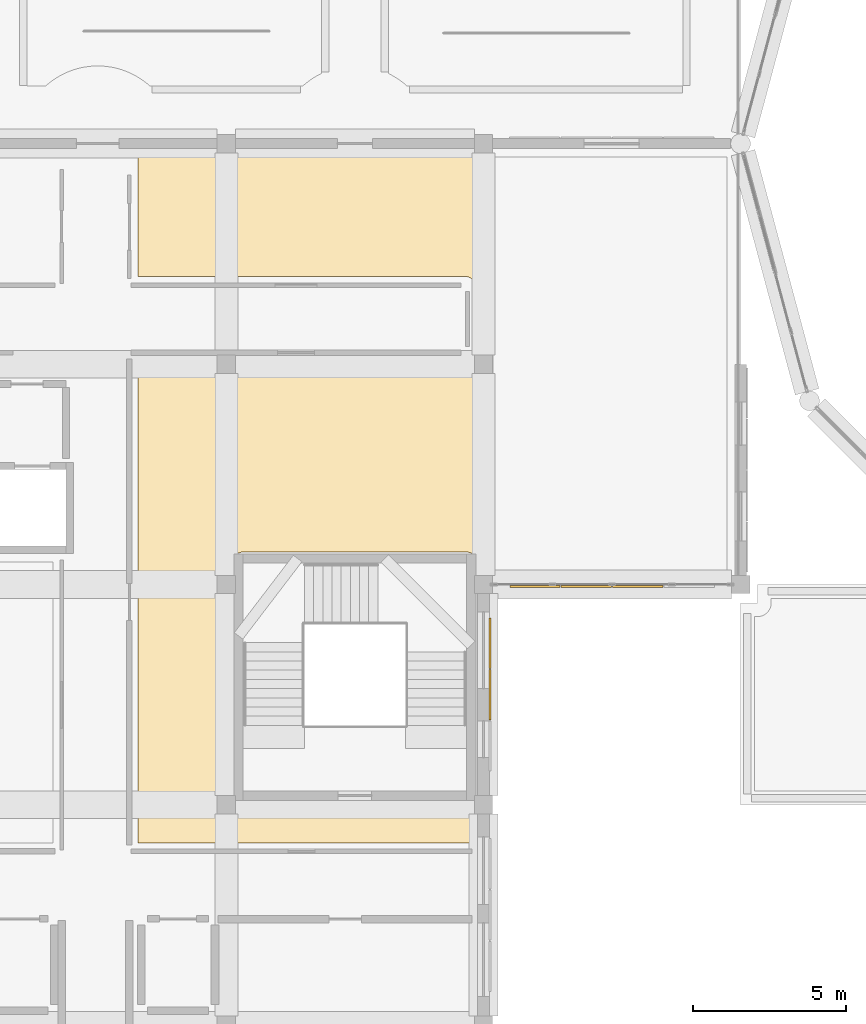
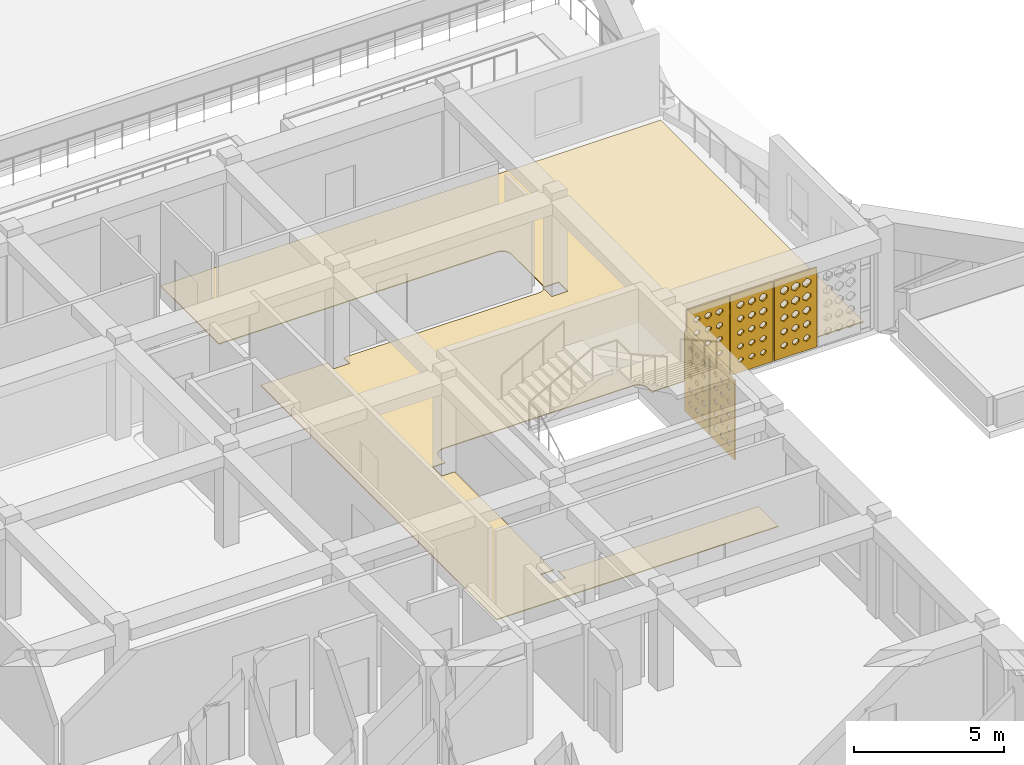
# One storey, part 45 of 48: 6 coverings.
"""IFC4 building model written with IfcOpenShell, lengths in metres."""

from ifc_helpers import new_model, si_unit, derived_unit, direction, frame, origin, place, context, subcontext, project, spatial, polyline, outline, extrude, material, layer, layer_set, type_object, element, save


model = new_model("IFC4")

# Units and contexts
model_context = context("Model", 3, precision=1e-05, world=origin(), true_north=direction((0.0, 1.0)))
body_context = subcontext(model_context, "Body", "Model", "MODEL_VIEW")
ifc_project = project(units=[si_unit("LENGTHUNIT", "METRE"), si_unit("AREAUNIT", "SQUARE_METRE"), si_unit("VOLUMEUNIT", "CUBIC_METRE"), si_unit("PLANEANGLEUNIT", "RADIAN"), si_unit("MASSUNIT", "GRAM", prefix="KILO"), derived_unit("THERMALTRANSMITTANCEUNIT", [(si_unit("POWERUNIT", "WATT"), 1), (si_unit("LENGTHUNIT", "METRE"), -2), (si_unit("THERMODYNAMICTEMPERATUREUNIT", "KELVIN"), -1)])], contexts=[model_context])

# Site, building, storey
site_placement = place(None, origin())
site = spatial("IfcSite", under=ifc_project, at=site_placement, CompositionType="ELEMENT")
building_placement = place(site_placement, origin())
building = spatial("IfcBuilding", under=site, at=building_placement, Name="Veybourne Emporium", CompositionType="ELEMENT")
storey_placement = place(building_placement, frame((0.0, 0.0, 27.89990234375)))
storey = spatial("IfcBuildingStorey", under=building, at=storey_placement, Name="L06", CompositionType="ELEMENT", Elevation=27.89990234375)

# Coverings
ifc_material_1 = material(Name="European Oak Parquet", Category="wood")
ifc_layer_1 = layer(ifc_material_1, 0.034912109375)
ifc_layer_set_1 = layer_set([ifc_layer_1], Name="European Oak Parquet")
covering_type_1 = type_object("IfcCoveringType", Name="Flooring_FLR-02", PredefinedType="FLOORING", material=ifc_layer_set_1)
covering_1_placement = place(storey_placement, origin())
element("IfcCovering", 1, at=covering_1_placement, inside=storey, type_object=covering_type_1, Name="L06 floor finish 06", PredefinedType="FLOORING", context=body_context, shape_type="SweptSolid", body=[
    extrude(outline(polyline([(49.9599609375, 27.56005859375), (39.110107421875, 27.56005859375), (39.110107421875, 43.2900390625), (41.695068359375, 43.2900390625), (41.695068359375, 42.89501953125), (42.304931640625, 42.89501953125), (42.304931640625, 43.2900390625), (49.800048828125, 43.2900390625), (49.809814453125, 43.290283203125), (49.825439453125, 43.291015625), (49.844970703125, 43.29296875), (49.860595703125, 43.295166015625), (49.8798828125, 43.299072265625), (49.89501953125, 43.302978515625), (49.913818359375, 43.30859375), (49.9287109375, 43.31396484375), (49.94677734375, 43.3212890625), (49.9609375, 43.328125), (49.978271484375, 43.33740234375), (49.99169921875, 43.345458984375), (50.008056640625, 43.3564453125), (50.020751953125, 43.36572265625), (50.03564453125, 43.378173828125), (50.04736328125, 43.388671875), (50.061279296875, 43.402587890625), (50.072021484375, 43.414306640625), (50.084228515625, 43.42919921875), (50.09375, 43.44189453125), (50.094970703125, 43.44384765625), (50.094970703125, 42.89501953125), (50.705078125, 42.89501953125), (50.705078125, 43.5048828125), (50.12939453125, 43.5048828125), (50.13623046875, 43.521484375), (50.141357421875, 43.5361328125), (50.147216796875, 43.554931640625), (50.15087890625, 43.570068359375), (50.15478515625, 43.589599609375), (50.156982421875, 43.60498046875), (50.158935546875, 43.62451171875), (50.15966796875, 43.64013671875), (50.159912109375, 43.64990234375), (50.159912109375, 45.699951171875), (50.15966796875, 45.709716796875), (50.158935546875, 45.7255859375), (50.156982421875, 45.744873046875), (50.15478515625, 45.760498046875), (50.15087890625, 45.77978515625), (50.147216796875, 45.795166015625), (50.141357421875, 45.81396484375), (50.13623046875, 45.82861328125), (50.128662109375, 45.8466796875), (50.121826171875, 45.86083984375), (50.11279296875, 45.878173828125), (50.1044921875, 45.8916015625), (50.09375, 45.908203125), (50.084228515625, 45.920654296875), (50.072021484375, 45.935791015625), (50.061279296875, 45.947265625), (50.04736328125, 45.96142578125), (50.03564453125, 45.971923828125), (50.020751953125, 45.984375), (50.008056640625, 45.99365234375), (49.99169921875, 46.004638671875), (49.978271484375, 46.0126953125), (49.9609375, 46.02197265625), (49.94677734375, 46.028564453125), (49.9287109375, 46.0361328125), (49.913818359375, 46.04150390625), (49.89501953125, 46.047119140625), (49.8798828125, 46.051025390625), (49.860595703125, 46.0546875), (49.844970703125, 46.05712890625), (49.825439453125, 46.05908203125), (49.809814453125, 46.059814453125), (49.800048828125, 46.06005859375), (39.110107421875, 46.06005859375), (39.110107421875, 49.9599609375), (58.360107421875, 49.9599609375), (58.360107421875, 36.43994140625), (50.39990234375, 36.43994140625), (50.39013671875, 36.439697265625), (50.36669921875, 36.438720703125), (50.34716796875, 36.436767578125), (50.323974609375, 36.433349609375), (50.3046875, 36.429443359375), (50.28173828125, 36.423583984375), (50.262939453125, 36.41796875), (50.24072265625, 36.409912109375), (50.22265625, 36.402587890625), (50.2099609375, 36.396484375), (50.2099609375, 36.699951171875), (50.209716796875, 36.709716796875), (50.208984375, 36.7255859375), (50.20703125, 36.744873046875), (50.204833984375, 36.760498046875), (50.200927734375, 36.77978515625), (50.197021484375, 36.795166015625), (50.19140625, 36.81396484375), (50.18603515625, 36.82861328125), (50.1787109375, 36.8466796875), (50.171875, 36.86083984375), (50.16259765625, 36.878173828125), (50.154541015625, 36.8916015625), (50.1435546875, 36.908203125), (50.13427734375, 36.920654296875), (50.121826171875, 36.935791015625), (50.111328125, 36.947265625), (50.097412109375, 36.96142578125), (50.085693359375, 36.971923828125), (50.07080078125, 36.984375), (50.05810546875, 36.99365234375), (50.041748046875, 37.004638671875), (50.0283203125, 37.0126953125), (50.010986328125, 37.02197265625), (49.996826171875, 37.028564453125), (49.978515625, 37.0361328125), (49.9638671875, 37.04150390625), (49.945068359375, 37.047119140625), (49.929931640625, 37.051025390625), (49.910400390625, 37.0546875), (49.89501953125, 37.05712890625), (49.87548828125, 37.05908203125), (49.85986328125, 37.059814453125), (49.85009765625, 37.06005859375), (42.550048828125, 37.06005859375), (42.540283203125, 37.059814453125), (42.5244140625, 37.05908203125), (42.505126953125, 37.05712890625), (42.489501953125, 37.0546875), (42.47021484375, 37.051025390625), (42.454833984375, 37.047119140625), (42.43603515625, 37.04150390625), (42.42138671875, 37.0361328125), (42.4033203125, 37.028564453125), (42.38916015625, 37.02197265625), (42.371826171875, 37.0126953125), (42.3583984375, 37.004638671875), (42.341796875, 36.99365234375), (42.329345703125, 36.984375), (42.314208984375, 36.971923828125), (42.302734375, 36.96142578125), (42.28857421875, 36.947265625), (42.278076171875, 36.935791015625), (42.265625, 36.920654296875), (42.25634765625, 36.908203125), (42.245361328125, 36.8916015625), (42.2373046875, 36.878173828125), (42.22802734375, 36.86083984375), (42.221435546875, 36.8466796875), (42.2138671875, 36.82861328125), (42.20849609375, 36.81396484375), (42.202880859375, 36.795166015625), (42.198974609375, 36.77978515625), (42.1953125, 36.760498046875), (42.19287109375, 36.744873046875), (42.19091796875, 36.7255859375), (42.190185546875, 36.709716796875), (42.18994140625, 36.699951171875), (42.18994140625, 36.304931640625), (41.695068359375, 36.304931640625), (41.695068359375, 35.695068359375), (42.18994140625, 35.695068359375), (42.18994140625, 29.25), (42.190185546875, 29.240234375), (42.19091796875, 29.224609375), (42.19287109375, 29.205078125), (42.1953125, 29.189453125), (42.198974609375, 29.170166015625), (42.202880859375, 29.155029296875), (42.20849609375, 29.13623046875), (42.2138671875, 29.121337890625), (42.220703125, 29.10498046875), (41.695068359375, 29.10498046875), (41.695068359375, 28.4951171875), (42.304931640625, 28.4951171875), (42.304931640625, 28.986328125), (42.314208984375, 28.97802734375), (42.329345703125, 28.9658203125), (42.341796875, 28.956298828125), (42.3583984375, 28.9453125), (42.371826171875, 28.937255859375), (42.38916015625, 28.927978515625), (42.4033203125, 28.92138671875), (42.42138671875, 28.913818359375), (42.43603515625, 28.90869140625), (42.454833984375, 28.90283203125), (42.47021484375, 28.899169921875), (42.489501953125, 28.895263671875), (42.505126953125, 28.892822265625), (42.5244140625, 28.89111328125), (42.540283203125, 28.89013671875), (42.550048828125, 28.889892578125), (49.85009765625, 28.889892578125), (49.85986328125, 28.89013671875), (49.87548828125, 28.89111328125), (49.89501953125, 28.892822265625), (49.910400390625, 28.895263671875), (49.929931640625, 28.899169921875), (49.945068359375, 28.90283203125), (49.9599609375, 28.907470703125), (49.9599609375, 27.56005859375)])), origin(), (0.0, 0.0, 1.0), 0.03515625),
])
ifc_material_2 = material(Name="Warm-White Perforated Aluminium Screen Alloy", Category="aluminium")
ifc_layer_2 = layer(ifc_material_2, 0.06005859375)
ifc_layer_set_2 = layer_set([ifc_layer_2], Name="Warm-White Perforated Aluminium Screen Alloy")
covering_type_2 = type_object("IfcCoveringType", Name="WaveScreen_SCR-01", PredefinedType="CLADDING", material=ifc_layer_set_2)
covering_2_placement = place(storey_placement, frame((50.64794921875, 34.080078125, 1.68017578125), z_axis=(-1.0, 0.0, 0.0), x_axis=(0.0, -1.0, 0.0)))
element("IfcCovering", 2, at=covering_2_placement, inside=storey, type_object=covering_type_2, Name="L06 wave-perforated aluminium screen SCR-01 (21.1)", PredefinedType="CLADDING", context=body_context, shape_type="SweptSolid", body=[
    extrude(outline(polyline([(-0.81982421875, -1.6201171875), (0.81982421875, -1.6201171875), (0.81982421875, 1.6201171875), (-0.81982421875, 1.6201171875), (-0.81982421875, -1.6201171875)]), holes=[polyline([(-0.433349609375, -1.007080078125), (-0.330810546875, -1.079345703125), (-0.330810546875, -1.16064453125), (-0.433349609375, -1.23291015625), (-0.535888671875, -1.16064453125), (-0.535888671875, -1.079345703125), (-0.433349609375, -1.007080078125)]), polyline([(-0.433349609375, -0.449462890625), (-0.3330078125, -0.520263671875), (-0.3330078125, -0.599853515625), (-0.433349609375, -0.67041015625), (-0.53369140625, -0.599853515625), (-0.53369140625, -0.520263671875), (-0.433349609375, -0.449462890625)]), polyline([(-0.433349609375, 0.110107421875), (-0.333251953125, 0.03955078125), (-0.333251953125, -0.03955078125), (-0.433349609375, -0.110107421875), (-0.533447265625, -0.03955078125), (-0.533447265625, 0.03955078125), (-0.433349609375, 0.110107421875)]), polyline([(-0.433349609375, 0.671630859375), (-0.33203125, 0.60009765625), (-0.33203125, 0.519775390625), (-0.433349609375, 0.4482421875), (-0.53466796875, 0.519775390625), (-0.53466796875, 0.60009765625), (-0.433349609375, 0.671630859375)]), polyline([(-0.433349609375, 1.235107421875), (-0.3291015625, 1.16162109375), (-0.3291015625, 1.07861328125), (-0.433349609375, 1.0048828125), (-0.53759765625, 1.07861328125), (-0.53759765625, 1.16162109375), (-0.433349609375, 1.235107421875)]), polyline([(0.0, -1.005126953125), (0.10400390625, -1.07861328125), (0.10400390625, -1.161376953125), (0.0, -1.23486328125), (-0.10400390625, -1.161376953125), (-0.10400390625, -1.07861328125), (0.0, -1.005126953125)]), polyline([(0.0, -0.448486328125), (0.101318359375, -0.52001953125), (0.101318359375, -0.60009765625), (0.0, -0.67138671875), (-0.101318359375, -0.60009765625), (-0.101318359375, -0.52001953125), (0.0, -0.448486328125)]), polyline([(0.0, 0.110107421875), (0.10009765625, 0.03955078125), (0.10009765625, -0.03955078125), (0.0, -0.110107421875), (-0.10009765625, -0.03955078125), (-0.10009765625, 0.03955078125), (0.0, 0.110107421875)]), polyline([(0.0, 0.670654296875), (0.1005859375, 0.599853515625), (0.1005859375, 0.520263671875), (0.0, 0.449462890625), (-0.1005859375, 0.520263671875), (-0.1005859375, 0.599853515625), (0.0, 0.670654296875)]), polyline([(0.0, 1.233154296875), (0.1025390625, 1.160888671875), (0.1025390625, 1.0791015625), (0.0, 1.0068359375), (-0.1025390625, 1.0791015625), (-0.1025390625, 1.160888671875), (0.0, 1.233154296875)]), polyline([(0.433349609375, -1.002685546875), (0.539306640625, -1.077880859375), (0.539306640625, -1.162109375), (0.433349609375, -1.2373046875), (0.327392578125, -1.162109375), (0.327392578125, -1.077880859375), (0.433349609375, -1.002685546875)]), polyline([(0.433349609375, -0.447021484375), (0.535888671875, -0.519287109375), (0.535888671875, -0.6005859375), (0.433349609375, -0.673095703125), (0.330810546875, -0.6005859375), (0.330810546875, -0.519287109375), (0.433349609375, -0.447021484375)]), polyline([(0.433349609375, 0.110595703125), (0.53369140625, 0.039794921875), (0.53369140625, -0.039794921875), (0.433349609375, -0.110595703125), (0.3330078125, -0.039794921875), (0.3330078125, 0.039794921875), (0.433349609375, 0.110595703125)]), polyline([(0.433349609375, 0.670166015625), (0.533447265625, 0.599609375), (0.533447265625, 0.5205078125), (0.433349609375, 0.449951171875), (0.333251953125, 0.5205078125), (0.333251953125, 0.599609375), (0.433349609375, 0.670166015625)]), polyline([(0.433349609375, 1.231689453125), (0.53466796875, 1.16015625), (0.53466796875, 1.079833984375), (0.433349609375, 1.00830078125), (0.33203125, 1.079833984375), (0.33203125, 1.16015625), (0.433349609375, 1.231689453125)])]), origin(), (0.0, 0.0, 1.0), 0.06005859375),
])
covering_3_placement = place(storey_placement, frame((53.760009765625, 35.906005859375, 1.68017578125), z_axis=(0.0, 1.0, 0.0), x_axis=(-1.0, 0.0, 0.0)))
element("IfcCovering", 3, at=covering_3_placement, inside=storey, type_object=covering_type_2, Name="L06 wave-perforated aluminium screen SCR-01 (23C.3)", PredefinedType="CLADDING", context=body_context, shape_type="SweptSolid", body=[
    extrude(outline(polyline([(-0.81982421875, -1.6201171875), (0.81982421875, -1.6201171875), (0.81982421875, 1.6201171875), (-0.81982421875, 1.6201171875), (-0.81982421875, -1.6201171875)]), holes=[polyline([(-0.433349609375, -0.994140625), (-0.3203125, -1.07470703125), (-0.3203125, -1.165283203125), (-0.433349609375, -1.245849609375), (-0.54638671875, -1.165283203125), (-0.54638671875, -1.07470703125), (-0.433349609375, -0.994140625)]), polyline([(-0.433349609375, -0.42578125), (-0.3134765625, -0.51171875), (-0.3134765625, -0.6083984375), (-0.433349609375, -0.6943359375), (-0.55322265625, -0.6083984375), (-0.55322265625, -0.51171875), (-0.433349609375, -0.42578125)]), polyline([(-0.433349609375, 0.14404296875), (-0.305419921875, 0.052001953125), (-0.305419921875, -0.052001953125), (-0.433349609375, -0.14404296875), (-0.561279296875, -0.052001953125), (-0.561279296875, 0.052001953125), (-0.433349609375, 0.14404296875)]), polyline([(-0.433349609375, 0.715087890625), (-0.29638671875, 0.61572265625), (-0.29638671875, 0.504150390625), (-0.433349609375, 0.40478515625), (-0.5703125, 0.504150390625), (-0.5703125, 0.61572265625), (-0.433349609375, 0.715087890625)]), polyline([(-0.433349609375, 1.287109375), (-0.28662109375, 1.18017578125), (-0.28662109375, 1.059814453125), (-0.433349609375, 0.952880859375), (-0.580078125, 1.059814453125), (-0.580078125, 1.18017578125), (-0.433349609375, 1.287109375)]), polyline([(0.0, -0.997802734375), (0.110107421875, -1.075927734375), (0.110107421875, -1.1640625), (0.0, -1.2421875), (-0.110107421875, -1.1640625), (-0.110107421875, -1.075927734375), (0.0, -0.997802734375)]), polyline([(0.0, -0.43017578125), (0.1162109375, -0.51318359375), (0.1162109375, -0.606689453125), (0.0, -0.68994140625), (-0.1162109375, -0.606689453125), (-0.1162109375, -0.51318359375), (0.0, -0.43017578125)]), polyline([(0.0, 0.138916015625), (0.123779296875, 0.050048828125), (0.123779296875, -0.050048828125), (0.0, -0.138916015625), (-0.123779296875, -0.050048828125), (-0.123779296875, 0.050048828125), (0.0, 0.138916015625)]), polyline([(0.0, 0.70947265625), (0.13232421875, 0.61376953125), (0.13232421875, 0.506103515625), (0.0, 0.410400390625), (-0.13232421875, 0.506103515625), (-0.13232421875, 0.61376953125), (0.0, 0.70947265625)]), polyline([(0.0, 1.281005859375), (0.1416015625, 1.177978515625), (0.1416015625, 1.06201171875), (0.0, 0.958984375), (-0.1416015625, 1.06201171875), (-0.1416015625, 1.177978515625), (0.0, 1.281005859375)]), polyline([(0.433349609375, -1.0009765625), (0.540771484375, -1.0771484375), (0.540771484375, -1.162841796875), (0.433349609375, -1.239013671875), (0.325927734375, -1.162841796875), (0.325927734375, -1.0771484375), (0.433349609375, -1.0009765625)]), polyline([(0.433349609375, -0.43408203125), (0.54638671875, -0.5146484375), (0.54638671875, -0.605224609375), (0.433349609375, -0.685791015625), (0.3203125, -0.605224609375), (0.3203125, -0.5146484375), (0.433349609375, -0.43408203125)]), polyline([(0.433349609375, 0.13427734375), (0.55322265625, 0.04833984375), (0.55322265625, -0.04833984375), (0.433349609375, -0.13427734375), (0.3134765625, -0.04833984375), (0.3134765625, 0.04833984375), (0.433349609375, 0.13427734375)]), polyline([(0.433349609375, 0.7041015625), (0.561279296875, 0.61181640625), (0.561279296875, 0.508056640625), (0.433349609375, 0.416015625), (0.305419921875, 0.508056640625), (0.305419921875, 0.61181640625), (0.433349609375, 0.7041015625)]), polyline([(0.433349609375, 1.275146484375), (0.5703125, 1.17578125), (0.5703125, 1.064208984375), (0.433349609375, 0.96484375), (0.29638671875, 1.064208984375), (0.29638671875, 1.17578125), (0.433349609375, 1.275146484375)])]), origin(), (0.0, 0.0, 1.0), 0.06005859375),
])
ifc_layer_3 = layer(ifc_material_2, 0.06005859375)
ifc_layer_set_3 = layer_set([ifc_layer_3], Name="Warm-White Perforated Aluminium Screen Alloy")
covering_type_3 = type_object("IfcCoveringType", Name="WaveScreen_SCR-02", PredefinedType="CLADDING", material=ifc_layer_set_3)
covering_4_placement = place(storey_placement, frame((50.64794921875, 32.39990234375, 1.68017578125), z_axis=(-1.0, 0.0, 0.0), x_axis=(0.0, -1.0, 0.0)))
element("IfcCovering", 4, at=covering_4_placement, inside=storey, type_object=covering_type_3, Name="L06 wave-perforated aluminium screen SCR-02 (21.2)", PredefinedType="CLADDING", context=body_context, shape_type="SweptSolid", body=[
    extrude(outline(polyline([(-0.81982421875, -1.6201171875), (0.81982421875, -1.6201171875), (0.81982421875, 1.6201171875), (-0.81982421875, 1.6201171875), (-0.81982421875, -1.6201171875)]), holes=[polyline([(-0.433349609375, -0.996826171875), (-0.322509765625, -1.07568359375), (-0.322509765625, -1.164306640625), (-0.433349609375, -1.2431640625), (-0.544189453125, -1.164306640625), (-0.544189453125, -1.07568359375), (-0.433349609375, -0.996826171875)]), polyline([(-0.433349609375, -0.443115234375), (-0.32763671875, -0.517822265625), (-0.32763671875, -0.60205078125), (-0.433349609375, -0.677001953125), (-0.5390625, -0.60205078125), (-0.5390625, -0.517822265625), (-0.433349609375, -0.443115234375)]), polyline([(-0.433349609375, 0.11279296875), (-0.3310546875, 0.04052734375), (-0.3310546875, -0.04052734375), (-0.433349609375, -0.11279296875), (-0.53564453125, -0.04052734375), (-0.53564453125, 0.04052734375), (-0.433349609375, 0.11279296875)]), polyline([(-0.433349609375, 0.67041015625), (-0.3330078125, 0.599853515625), (-0.3330078125, 0.520263671875), (-0.433349609375, 0.44970703125), (-0.53369140625, 0.520263671875), (-0.53369140625, 0.599853515625), (-0.433349609375, 0.67041015625)]), polyline([(-0.433349609375, 1.22998046875), (-0.333251953125, 1.15966796875), (-0.333251953125, 1.080322265625), (-0.433349609375, 1.010009765625), (-0.533447265625, 1.080322265625), (-0.533447265625, 1.15966796875), (-0.433349609375, 1.22998046875)]), polyline([(0.0, -0.9931640625), (0.11376953125, -1.07421875), (0.11376953125, -1.165771484375), (0.0, -1.246826171875), (-0.11376953125, -1.165771484375), (-0.11376953125, -1.07421875), (0.0, -0.9931640625)]), polyline([(0.0, -0.440185546875), (0.10791015625, -0.516845703125), (0.10791015625, -0.60302734375), (0.0, -0.6796875), (-0.10791015625, -0.60302734375), (-0.10791015625, -0.516845703125), (0.0, -0.440185546875)]), polyline([(0.0, 0.114501953125), (0.103759765625, 0.041259765625), (0.103759765625, -0.041259765625), (0.0, -0.114501953125), (-0.103759765625, -0.041259765625), (-0.103759765625, 0.041259765625), (0.0, 0.114501953125)]), polyline([(0.0, 0.67138671875), (0.10107421875, 0.60009765625), (0.10107421875, 0.52001953125), (0.0, 0.44873046875), (-0.10107421875, 0.52001953125), (-0.10107421875, 0.60009765625), (0.0, 0.67138671875)]), polyline([(0.0, 1.22998046875), (0.10009765625, 1.15966796875), (0.10009765625, 1.080322265625), (0.0, 1.010009765625), (-0.10009765625, 1.080322265625), (-0.10009765625, 1.15966796875), (0.0, 1.22998046875)]), polyline([(0.433349609375, -0.989013671875), (0.55029296875, -1.072998046875), (0.55029296875, -1.1669921875), (0.433349609375, -1.2509765625), (0.316162109375, -1.1669921875), (0.316162109375, -1.072998046875), (0.433349609375, -0.989013671875)]), polyline([(0.433349609375, -0.43701171875), (0.5439453125, -0.515625), (0.5439453125, -0.604248046875), (0.433349609375, -0.68310546875), (0.322509765625, -0.604248046875), (0.322509765625, -0.515625), (0.433349609375, -0.43701171875)]), polyline([(0.433349609375, 0.116943359375), (0.5390625, 0.0419921875), (0.5390625, -0.0419921875), (0.433349609375, -0.116943359375), (0.32763671875, -0.0419921875), (0.32763671875, 0.0419921875), (0.433349609375, 0.116943359375)]), polyline([(0.433349609375, 0.672607421875), (0.53564453125, 0.6005859375), (0.53564453125, 0.519287109375), (0.433349609375, 0.447265625), (0.3310546875, 0.519287109375), (0.3310546875, 0.6005859375), (0.433349609375, 0.672607421875)]), polyline([(0.433349609375, 1.23046875), (0.53369140625, 1.159912109375), (0.53369140625, 1.080078125), (0.433349609375, 1.009521484375), (0.3330078125, 1.080078125), (0.3330078125, 1.159912109375), (0.433349609375, 1.23046875)])]), origin(), (0.0, 0.0, 1.0), 0.06005859375),
])
covering_5_placement = place(storey_placement, frame((52.080078125, 35.906005859375, 1.68017578125), z_axis=(0.0, 1.0, 0.0), x_axis=(-1.0, 0.0, 0.0)))
element("IfcCovering", 5, at=covering_5_placement, inside=storey, type_object=covering_type_3, Name="L06 wave-perforated aluminium screen SCR-02 (23C.4)", PredefinedType="CLADDING", context=body_context, shape_type="SweptSolid", body=[
    extrude(outline(polyline([(-0.81982421875, -1.6201171875), (0.81982421875, -1.6201171875), (0.81982421875, 1.6201171875), (-0.81982421875, 1.6201171875), (-0.81982421875, -1.6201171875)]), holes=[polyline([(-0.433349609375, -1.005615234375), (-0.32958984375, -1.078857421875), (-0.32958984375, -1.1611328125), (-0.433349609375, -1.234375), (-0.536865234375, -1.1611328125), (-0.536865234375, -1.078857421875), (-0.433349609375, -1.005615234375)]), polyline([(-0.433349609375, -0.4404296875), (-0.32568359375, -0.51708984375), (-0.32568359375, -0.60302734375), (-0.433349609375, -0.679443359375), (-0.541015625, -0.60302734375), (-0.541015625, -0.51708984375), (-0.433349609375, -0.4404296875)]), polyline([(-0.433349609375, 0.12646484375), (-0.31982421875, 0.04541015625), (-0.31982421875, -0.04541015625), (-0.433349609375, -0.12646484375), (-0.546630859375, -0.04541015625), (-0.546630859375, 0.04541015625), (-0.433349609375, 0.12646484375)]), polyline([(-0.433349609375, 0.69482421875), (-0.31298828125, 0.608642578125), (-0.31298828125, 0.511474609375), (-0.433349609375, 0.425048828125), (-0.5537109375, 0.511474609375), (-0.5537109375, 0.608642578125), (-0.433349609375, 0.69482421875)]), polyline([(-0.433349609375, 1.264892578125), (-0.3046875, 1.172119140625), (-0.3046875, 1.06787109375), (-0.433349609375, 0.97509765625), (-0.561767578125, 1.06787109375), (-0.561767578125, 1.172119140625), (-0.433349609375, 1.264892578125)]), polyline([(0.0, -1.00732421875), (0.10205078125, -1.07958984375), (0.10205078125, -1.160400390625), (0.0, -1.232666015625), (-0.10205078125, -1.160400390625), (-0.10205078125, -1.07958984375), (0.0, -1.00732421875)]), polyline([(0.0, -0.443359375), (0.10546875, -0.51806640625), (0.10546875, -0.60205078125), (0.0, -0.6767578125), (-0.10546875, -0.60205078125), (-0.10546875, -0.51806640625), (0.0, -0.443359375)]), polyline([(0.0, 0.122802734375), (0.1103515625, 0.044189453125), (0.1103515625, -0.044189453125), (0.0, -0.122802734375), (-0.1103515625, -0.044189453125), (-0.1103515625, 0.044189453125), (0.0, 0.122802734375)]), polyline([(0.0, 0.6904296875), (0.11669921875, 0.60693359375), (0.11669921875, 0.512939453125), (0.0, 0.429443359375), (-0.11669921875, 0.512939453125), (-0.11669921875, 0.60693359375), (0.0, 0.6904296875)]), polyline([(0.0, 1.259765625), (0.124267578125, 1.17041015625), (0.124267578125, 1.069580078125), (0.0, 0.980224609375), (-0.124267578125, 1.069580078125), (-0.124267578125, 1.17041015625), (0.0, 1.259765625)]), polyline([(0.433349609375, -1.0087890625), (0.5341796875, -1.080078125), (0.5341796875, -1.159912109375), (0.433349609375, -1.231201171875), (0.332275390625, -1.159912109375), (0.332275390625, -1.080078125), (0.433349609375, -1.0087890625)]), polyline([(0.433349609375, -0.445556640625), (0.536865234375, -0.518798828125), (0.536865234375, -0.601318359375), (0.433349609375, -0.67431640625), (0.32958984375, -0.601318359375), (0.32958984375, -0.518798828125), (0.433349609375, -0.445556640625)]), polyline([(0.433349609375, 0.119384765625), (0.541015625, 0.04296875), (0.541015625, -0.04296875), (0.433349609375, -0.119384765625), (0.325439453125, -0.04296875), (0.325439453125, 0.04296875), (0.433349609375, 0.119384765625)]), polyline([(0.433349609375, 0.686279296875), (0.546875, 0.60546875), (0.546875, 0.514404296875), (0.433349609375, 0.43359375), (0.31982421875, 0.514404296875), (0.31982421875, 0.60546875), (0.433349609375, 0.686279296875)]), polyline([(0.433349609375, 1.2548828125), (0.5537109375, 1.168701171875), (0.5537109375, 1.0712890625), (0.433349609375, 0.985107421875), (0.31298828125, 1.0712890625), (0.31298828125, 1.168701171875), (0.433349609375, 1.2548828125)])]), origin(), (0.0, 0.0, 1.0), 0.06005859375),
])
ifc_layer_4 = layer(ifc_material_2, 0.06005859375)
ifc_layer_set_4 = layer_set([ifc_layer_4], Name="Warm-White Perforated Aluminium Screen Alloy")
covering_type_4 = type_object("IfcCoveringType", Name="WaveScreen_SCR-04", PredefinedType="CLADDING", material=ifc_layer_set_4)
covering_6_placement = place(storey_placement, frame((55.43994140625, 35.906005859375, 1.68017578125), z_axis=(0.0, 1.0, 0.0), x_axis=(-1.0, 0.0, 0.0)))
element("IfcCovering", 6, at=covering_6_placement, inside=storey, type_object=covering_type_4, Name="L06 wave-perforated aluminium screen SCR-04 (23C.2)", PredefinedType="CLADDING", context=body_context, shape_type="SweptSolid", body=[
    extrude(outline(polyline([(-0.81982421875, -1.6201171875), (0.81982421875, -1.6201171875), (0.81982421875, 1.6201171875), (-0.81982421875, 1.6201171875), (-0.81982421875, -1.6201171875)]), holes=[polyline([(-0.433349609375, -0.976806640625), (-0.305908203125, -1.068359375), (-0.305908203125, -1.171630859375), (-0.433349609375, -1.26318359375), (-0.560546875, -1.171630859375), (-0.560546875, -1.068359375), (-0.433349609375, -0.976806640625)]), polyline([(-0.433349609375, -0.40576171875), (-0.297119140625, -0.50439453125), (-0.297119140625, -0.615478515625), (-0.433349609375, -0.71435546875), (-0.569580078125, -0.615478515625), (-0.569580078125, -0.50439453125), (-0.433349609375, -0.40576171875)]), polyline([(-0.433349609375, 0.166259765625), (-0.287353515625, 0.059814453125), (-0.287353515625, -0.059814453125), (-0.433349609375, -0.166259765625), (-0.579345703125, -0.059814453125), (-0.579345703125, 0.059814453125), (-0.433349609375, 0.166259765625)]), polyline([(-0.433349609375, 0.73876953125), (-0.277099609375, 0.624267578125), (-0.277099609375, 0.49560546875), (-0.433349609375, 0.38134765625), (-0.589599609375, 0.49560546875), (-0.589599609375, 0.624267578125), (-0.433349609375, 0.73876953125)]), polyline([(-0.433349609375, 1.3115234375), (-0.2666015625, 1.18896484375), (-0.2666015625, 1.051025390625), (-0.433349609375, 0.928466796875), (-0.60009765625, 1.051025390625), (-0.60009765625, 1.18896484375), (-0.433349609375, 1.3115234375)]), polyline([(0.0, -0.981689453125), (0.123291015625, -1.0703125), (0.123291015625, -1.169921875), (0.0, -1.25830078125), (-0.123291015625, -1.169921875), (-0.123291015625, -1.0703125), (0.0, -0.981689453125)]), polyline([(0.0, -0.411376953125), (0.131591796875, -0.506591796875), (0.131591796875, -0.613525390625), (0.0, -0.708740234375), (-0.131591796875, -0.613525390625), (-0.131591796875, -0.506591796875), (0.0, -0.411376953125)]), polyline([(0.0, 0.16015625), (0.14111328125, 0.0576171875), (0.14111328125, -0.0576171875), (0.0, -0.16015625), (-0.14111328125, -0.0576171875), (-0.14111328125, 0.0576171875), (0.0, 0.16015625)]), polyline([(0.0, 0.732421875), (0.151123046875, 0.6220703125), (0.151123046875, 0.497802734375), (0.0, 0.3876953125), (-0.151123046875, 0.497802734375), (-0.151123046875, 0.6220703125), (0.0, 0.732421875)]), polyline([(0.0, 1.30517578125), (0.16162109375, 1.186767578125), (0.16162109375, 1.05322265625), (0.0, 0.934814453125), (-0.16162109375, 1.05322265625), (-0.16162109375, 1.186767578125), (0.0, 1.30517578125)]), polyline([(0.433349609375, -0.986328125), (0.552734375, -1.072021484375), (0.552734375, -1.168212890625), (0.433349609375, -1.253662109375), (0.31396484375, -1.168212890625), (0.31396484375, -1.072021484375), (0.433349609375, -0.986328125)]), polyline([(0.433349609375, -0.41650390625), (0.560791015625, -0.50830078125), (0.560791015625, -0.611572265625), (0.433349609375, -0.703369140625), (0.305908203125, -0.611572265625), (0.305908203125, -0.50830078125), (0.433349609375, -0.41650390625)]), polyline([(0.433349609375, 0.154296875), (0.569580078125, 0.0556640625), (0.569580078125, -0.0556640625), (0.433349609375, -0.154296875), (0.297119140625, -0.0556640625), (0.297119140625, 0.0556640625), (0.433349609375, 0.154296875)]), polyline([(0.433349609375, 0.726318359375), (0.579345703125, 0.619873046875), (0.579345703125, 0.500244140625), (0.433349609375, 0.393798828125), (0.287353515625, 0.500244140625), (0.287353515625, 0.619873046875), (0.433349609375, 0.726318359375)]), polyline([(0.433349609375, 1.298828125), (0.589599609375, 1.184326171875), (0.589599609375, 1.0556640625), (0.433349609375, 0.941162109375), (0.277099609375, 1.0556640625), (0.277099609375, 1.184326171875), (0.433349609375, 1.298828125)])]), origin(), (0.0, 0.0, 1.0), 0.06005859375),
])

save(model, "model.ifc")
